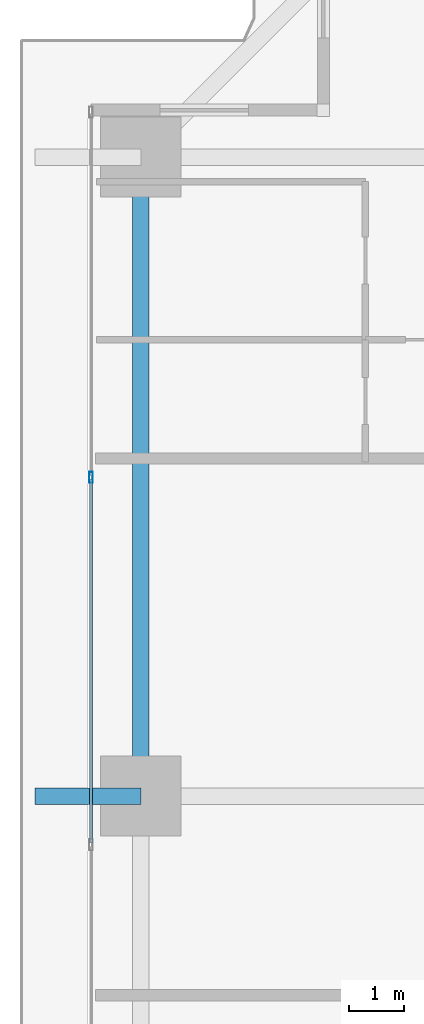
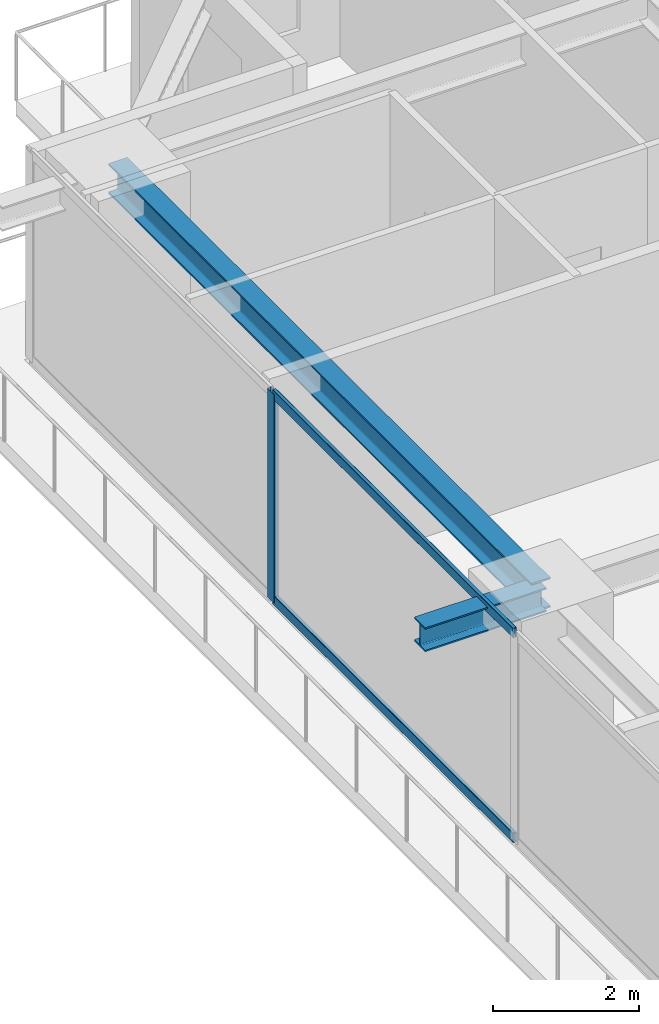
# One storey, part 16 of 39: 3 members, 2 beams, 1 element without a shape of its own.
"""IFC4 building model written with IfcOpenShell, lengths in metres."""

import ifcopenshell
import ifcopenshell.guid

model = None  # the IFC model being written
_history = None  # IfcOwnerHistory: only IFC2X3 demands one
_inside = {}  # id of a spatial element -> (the spatial element, [elements in it])
_under = {}  # id of a project, library or spatial element -> (it, [spatial elements below it])
_declared = {}  # id of a project -> (the project, [libraries it declares])
_typed = {}  # id of a type object -> (the type object, [elements of that type])
_made_of = {}  # id of a material, layer set ... -> (it, [elements and type objects made of it])


def new_model(schema):
    """Start an empty IFC model of exactly this schema.

    Asked for "IFC4X3", IfcOpenShell would pick the latest addendum, in which some entities
    have other attributes; the version numbers below select the first issue.
    IFC2X3 requires an IfcOwnerHistory on every rooted entity: one is made here for all.
    """
    global model, _history
    if schema == "IFC4X3":
        model = ifcopenshell.file(schema_version=(4, 3, 0, 0))
    else:
        model = ifcopenshell.file(schema=schema)
    _inside.clear()
    _under.clear()
    _declared.clear()
    _typed.clear()
    _made_of.clear()
    _history = None
    if model.schema == "IFC2X3":
        org = make("IfcOrganization", Name="unknown")
        user = make(
            "IfcPersonAndOrganization",
            ThePerson=make("IfcPerson", FamilyName="unknown"),
            TheOrganization=org,
        )
        app = make(
            "IfcApplication",
            ApplicationDeveloper=org,
            Version="unknown",
            ApplicationFullName="unknown",
            ApplicationIdentifier="unknown",
        )
        _history = make(
            "IfcOwnerHistory",
            OwningUser=user,
            OwningApplication=app,
            ChangeAction="ADDED",
            CreationDate=0,
        )
    return model


def make(cls, **values):
    """One entity of the class cls with the attributes given. An attribute that is None is left unset."""
    return model.create_entity(
        cls, **{name: value for name, value in values.items() if value is not None}
    )


def rooted(cls, **values):
    """An entity with a GlobalId (a new one), such as an element, a storey or a relation."""
    return make(cls, GlobalId=ifcopenshell.guid.new(), OwnerHistory=_history, **values)


def si_unit(unit_type, name, prefix=None):
    """IfcSIUnit, for example si_unit("LENGTHUNIT", "METRE", prefix="MILLI")."""
    return make("IfcSIUnit", UnitType=unit_type, Prefix=prefix, Name=name)


def assignment(units):
    """IfcUnitAssignment: the units of a project."""
    return None if units is None else make("IfcUnitAssignment", Units=units)


def point(xyz):
    """IfcCartesianPoint."""
    return None if xyz is None else make("IfcCartesianPoint", Coordinates=xyz)


def direction(xyz):
    """IfcDirection."""
    return None if xyz is None else make("IfcDirection", DirectionRatios=xyz)


def frame(location, z_axis=None, x_axis=None):
    """IfcAxis2Placement3D, a coordinate frame: its origin and axes. An axis left out is left unset."""
    return make(
        "IfcAxis2Placement3D",
        Location=point(location),
        Axis=direction(z_axis),
        RefDirection=direction(x_axis),
    )


def frame_2d(location, x_axis=None):
    """IfcAxis2Placement2D, a coordinate frame in the plane: its origin and x axis."""
    return make(
        "IfcAxis2Placement2D", Location=point(location), RefDirection=direction(x_axis)
    )


def origin():
    """The frame at (0, 0, 0) with its axes left unset."""
    return frame((0.0, 0.0, 0.0))


def origin_2d():
    """The frame at (0, 0) in the plane with its x axis left unset."""
    return frame_2d((0.0, 0.0))


def place(relative_to, where):
    """IfcLocalPlacement: puts the frame where relative to a parent placement (None: the world)."""
    return make(
        "IfcLocalPlacement", PlacementRelTo=relative_to, RelativePlacement=where
    )


def context(
    kind, dimensions, precision=None, world=None, true_north=None, identifier=None
):
    """IfcGeometricRepresentationContext, for example the 3D "Model" context."""
    return make(
        "IfcGeometricRepresentationContext",
        ContextIdentifier=identifier,
        ContextType=kind,
        CoordinateSpaceDimension=dimensions,
        Precision=precision,
        WorldCoordinateSystem=world,
        TrueNorth=true_north,
    )


def subcontext(parent, identifier, kind, view, scale=None):
    """IfcGeometricRepresentationSubContext, for example "Body" below "Model"."""
    return make(
        "IfcGeometricRepresentationSubContext",
        ContextIdentifier=identifier,
        ContextType=kind,
        ParentContext=parent,
        TargetScale=scale,
        TargetView=view,
    )


def project(units=None, contexts=None):
    """IfcProject with its units and contexts."""
    return rooted(
        "IfcProject",
        Name="project",
        RepresentationContexts=contexts,
        UnitsInContext=assignment(units),
    )


def spatial(cls, under=None, at=None, **own):
    """A site, building, storey or space (cls), placed at a placement, below another one or the project."""
    s = rooted(cls, ObjectPlacement=at, **own)
    if under is not None:
        _under.setdefault(under.id(), (under, []))[1].append(s)
    return s


def profile(cls, at=None, kind="AREA", **sizes):
    """A parametric profile (cls). Its sizes go by their IFC names, for example OverallWidth=200.0."""
    return make(cls, ProfileType=kind, Position=at, **sizes)


def hollow_rectangle(**sizes):
    """IfcRectangleHollowProfileDef."""
    return profile("IfcRectangleHollowProfileDef", **sizes)


def i_section(**sizes):
    """IfcIShapeProfileDef."""
    return profile("IfcIShapeProfileDef", **sizes)


def extrude(swept, where, along, depth):
    """IfcExtrudedAreaSolid: the profile swept, set in the frame where, extruded along a direction by depth."""
    return make(
        "IfcExtrudedAreaSolid",
        SweptArea=swept,
        Position=where,
        ExtrudedDirection=direction(along),
        Depth=depth,
    )


def shape(context_of_items, identifier, shape_type, items):
    """IfcShapeRepresentation: the items that make up one representation, for example the "Body"."""
    return make(
        "IfcShapeRepresentation",
        ContextOfItems=context_of_items,
        RepresentationIdentifier=identifier,
        RepresentationType=shape_type,
        Items=items,
    )


def source(mapping_origin, context_of_items, identifier, shape_type, items):
    """IfcRepresentationMap: a shape defined once, which mapped items show again and again."""
    return make(
        "IfcRepresentationMap",
        MappingOrigin=mapping_origin,
        MappedRepresentation=shape(context_of_items, identifier, shape_type, items),
    )


def transform(
    local_origin,
    x_axis=None,
    y_axis=None,
    z_axis=None,
    scale=None,
    scale2=None,
    scale3=None,
    uniform=True,
):
    """IfcCartesianTransformationOperator3D, or its non-uniform kind. x_axis, y_axis, z_axis: its Axis1, 2, 3."""
    if uniform:
        return make(
            "IfcCartesianTransformationOperator3D",
            Axis1=direction(x_axis),
            Axis2=direction(y_axis),
            LocalOrigin=point(local_origin),
            Scale=scale,
            Axis3=direction(z_axis),
        )
    return make(
        "IfcCartesianTransformationOperator3DnonUniform",
        Axis1=direction(x_axis),
        Axis2=direction(y_axis),
        LocalOrigin=point(local_origin),
        Scale=scale,
        Axis3=direction(z_axis),
        Scale2=scale2,
        Scale3=scale3,
    )


def mapped(mapping_source, mapping_target):
    """IfcMappedItem: shows the shape of a source again, moved by a transform."""
    return make(
        "IfcMappedItem", MappingSource=mapping_source, MappingTarget=mapping_target
    )


def material(Name=None, Category=None):
    """IfcMaterial."""
    return make("IfcMaterial", Name=Name, Category=Category)


def layer(
    of_material, thickness, ventilated=None, Name=None, Category=None, Priority=None
):
    """IfcMaterialLayer: one layer of a wall or slab, of a material (None: an air gap)."""
    return make(
        "IfcMaterialLayer",
        Material=of_material,
        LayerThickness=thickness,
        IsVentilated=ventilated,
        Name=Name,
        Category=Category,
        Priority=Priority,
    )


def layer_set(layers, Name=None):
    """IfcMaterialLayerSet."""
    return make("IfcMaterialLayerSet", MaterialLayers=layers, LayerSetName=Name)


def material_profile(
    of_material, cross_section, Name=None, Category=None, Priority=None
):
    """IfcMaterialProfile: a cross section and its material."""
    return make(
        "IfcMaterialProfile",
        Name=Name,
        Material=of_material,
        Profile=cross_section,
        Priority=Priority,
        Category=Category,
    )


def profile_set(profiles, Name=None, composite=None):
    """IfcMaterialProfileSet."""
    return make(
        "IfcMaterialProfileSet",
        Name=Name,
        MaterialProfiles=profiles,
        CompositeProfile=composite,
    )


def made_of(thing, what):
    """Note that an element or type object is made of a material, layer set ...; save() writes the relation."""
    if what is not None:
        _made_of.setdefault(what.id(), (what, []))[1].append(thing)
    return thing


def type_object(cls, material=None, **own):
    """A type object (cls), such as IfcWallType, which elements share."""
    return made_of(rooted(cls, **own), material)


def element(
    cls,
    number,
    at=None,
    inside=None,
    cuts=None,
    type_object=None,
    material=None,
    context=None,
    identifier="Body",
    shape_type=None,
    held_by="IfcProductDefinitionShape",
    body=None,
    shapes=None,
    **own,
):
    """One element of the class cls, such as IfcWall. Its Tag is "e" and its number.

    at: its placement. inside: the storey or other place that contains it. cuts: it is an
    opening in that element (IfcRelVoidsElement). A single representation is given by context,
    identifier, shape_type and body (its items); several are given by shapes. held_by: the class
    of the entity that holds the representations. save() writes the other relations.
    """
    e = rooted(cls, Tag="e%d" % number, ObjectPlacement=at, **own)
    if body is not None:
        shapes = [shape(context, identifier, shape_type, body)]
    if shapes is not None:
        e.Representation = make(held_by, Representations=shapes)
    if inside is not None:
        _inside.setdefault(inside.id(), (inside, []))[1].append(e)
    if cuts is not None:
        rooted(
            "IfcRelVoidsElement", RelatingBuildingElement=cuts, RelatedOpeningElement=e
        )
    if type_object is not None:
        _typed.setdefault(type_object.id(), (type_object, []))[1].append(e)
    return made_of(e, material)


def aggregate(whole, parts):
    """IfcRelAggregates: a whole, such as a stair, and the parts it consists of."""
    return rooted("IfcRelAggregates", RelatingObject=whole, RelatedObjects=parts)


def save(model, path):
    """Write the relations noted so far, then the file.

    IfcRelAggregates (storeys below a building ...), IfcRelContainedInSpatialStructure (elements
    in a storey), IfcRelDefinesByType, IfcRelAssociatesMaterial and IfcRelDeclares: one each for
    every whole, place, type object, material and project.
    """
    for whole, parts in _under.values():
        aggregate(whole, parts)
    for where, things in _inside.values():
        rooted(
            "IfcRelContainedInSpatialStructure",
            RelatedElements=things,
            RelatingStructure=where,
        )
    for kind, things in _typed.values():
        rooted("IfcRelDefinesByType", RelatedObjects=things, RelatingType=kind)
    for what, things in _made_of.values():
        rooted("IfcRelAssociatesMaterial", RelatedObjects=things, RelatingMaterial=what)
    for by, libraries in _declared.values():
        rooted("IfcRelDeclares", RelatingContext=by, RelatedDefinitions=libraries)
    model.write(path)


model = new_model("IFC4")

# Units and contexts
model_context = context("Model", 3, precision=1e-05, world=origin(), true_north=direction((0.0, 1.0)))
body_context = subcontext(model_context, "Body", "Model", "MODEL_VIEW")
ifc_project = project(units=[si_unit("LENGTHUNIT", "METRE"), si_unit("AREAUNIT", "SQUARE_METRE"), si_unit("VOLUMEUNIT", "CUBIC_METRE"), si_unit("PLANEANGLEUNIT", "RADIAN"), si_unit("MASSUNIT", "GRAM", prefix="KILO")], contexts=[model_context])

# Site, building, storey
site_placement = place(None, origin())
site = spatial("IfcSite", under=ifc_project, at=site_placement, CompositionType="ELEMENT")
building_placement = place(site_placement, origin())
building = spatial("IfcBuilding", under=site, at=building_placement, Name="Serunith Strait Residences", CompositionType="ELEMENT")
storey_placement = place(building_placement, frame((0.0, 0.0, 49.199951171875)))
storey = spatial("IfcBuildingStorey", under=building, at=storey_placement, Name="L11", CompositionType="ELEMENT", Elevation=49.199951171875)

# Beams
ifc_material_1 = material(Name="Steel S355J2", Category="steel")
ifc_material_profile_1 = material_profile(ifc_material_1, i_section(OverallWidth=0.300048828125, OverallDepth=0.5, WebThickness=0.014404296875, FlangeThickness=0.028076171875, FilletRadius=0.027099609375, at=origin_2d()), Name="HEB 500")
ifc_profile_set_1 = profile_set([ifc_material_profile_1], Name="Steel S355J2")
beam_type_1 = type_object("IfcBeamType", Name="BM-HEB500", PredefinedType="BEAM", material=ifc_profile_set_1)
shared_shape_1 = source(origin(), body_context, "Body", "SweptSolid", [
    extrude(i_section(OverallWidth=0.300048828125, OverallDepth=0.5, WebThickness=0.014404296875, FlangeThickness=0.028076171875, FilletRadius=0.027099609375, at=origin_2d()), origin(), (0.0, 0.0, 1.0), 11.550048828125),
])
beam_1_placement = place(storey_placement, frame((6.89990234375, 40.949951171875, 3.237060546875), z_axis=(0.0, -1.0, 0.0), x_axis=(1.0, 0.0, 0.0)))
element("IfcBeam", 1, at=beam_1_placement, inside=storey, type_object=beam_type_1, Name="L11 Perimeter Ring Beam 13", PredefinedType="BEAM", context=body_context, shape_type="MappedRepresentation", body=[
    mapped(shared_shape_1, transform((0.0, 0.0, 0.0), scale=1.0)),
])
ifc_material_profile_2 = material_profile(ifc_material_1, i_section(OverallWidth=0.300048828125, OverallDepth=0.39990234375, WebThickness=0.013427734375, FlangeThickness=0.02392578125, FilletRadius=0.027099609375, at=origin_2d()), Name="HEB 400")
ifc_profile_set_2 = profile_set([ifc_material_profile_2], Name="Steel S355J2")
beam_type_2 = type_object("IfcBeamType", Name="BM-HEB400", PredefinedType="BEAM", material=ifc_profile_set_2)
shared_shape_2 = source(origin(), body_context, "Body", "SweptSolid", [
    extrude(i_section(OverallWidth=0.300048828125, OverallDepth=0.39990234375, WebThickness=0.013427734375, FlangeThickness=0.02392578125, FilletRadius=0.027099609375, at=origin_2d()), origin(), (0.0, 0.0, 1.0), 1.909912109375),
])
beam_2_placement = place(storey_placement, frame((6.89990234375, 29.39990234375, 3.257080078125), z_axis=(-1.0, 0.0, 0.0), x_axis=(0.0, -1.0, 0.0)))
element("IfcBeam", 2, at=beam_2_placement, inside=storey, type_object=beam_type_2, Name="L12 Cantilevered Balcony Rib TC-W3", PredefinedType="BEAM", context=body_context, shape_type="MappedRepresentation", body=[
    mapped(shared_shape_2, transform((0.0, 0.0, 0.0), scale=1.0)),
])

# Curtain wall, members
ifc_material_2 = material(Name="Pale-Champagne Anodised Aluminium", Category="aluminium")
ifc_layer = layer(ifc_material_2, 0.199951171875, Name="Pale-Champagne Anodised Aluminium")
ifc_layer_set = layer_set([ifc_layer], Name="Pale-Champagne Anodised Aluminium")
curtain_wall_type = type_object("IfcCurtainWallType", Name="CW-SYS1", PredefinedType="NOTDEFINED", material=ifc_layer_set)
curtain_wall_placement = place(storey_placement, origin())
curtain_wall = element("IfcCurtainWall", 3, at=curtain_wall_placement, inside=storey, type_object=curtain_wall_type, Name="L11 W Unitised Fritted Curtain Wall", PredefinedType="NOTDEFINED")
ifc_material_profile_3 = material_profile(ifc_material_2, hollow_rectangle(XDim=0.070068359375, YDim=0.199951171875, WallThickness=0.00390625, InnerFilletRadius=0.006103515625, OuterFilletRadius=0.010009765625, at=origin_2d()), Name="ALU 200x70x4")
ifc_profile_set_3 = profile_set([ifc_material_profile_3], Name="Pale-Champagne Anodised Aluminium")
member_type_1 = type_object("IfcMemberType", Name="CW-SYS1-MULL", PredefinedType="MULLION", material=ifc_profile_set_3)
shared_shape_3 = source(origin(), body_context, "Body", "SweptSolid", [
    extrude(hollow_rectangle(XDim=0.070068359375, YDim=0.199951171875, WallThickness=0.00390625, InnerFilletRadius=0.006103515625, OuterFilletRadius=0.010009765625, at=origin_2d()), origin(), (0.0, 0.0, 1.0), 3.47509765625),
])
member_1_placement = place(storey_placement, frame((6.0, 35.159912109375, 0.0), z_axis=(0.0, 0.0, 1.0), x_axis=(1.0, 0.0, 0.0)))
member_1 = element("IfcMember", 4, at=member_1_placement, type_object=member_type_1, Name="CW-1 mullion 2", PredefinedType="MULLION", context=body_context, shape_type="MappedRepresentation", body=[
    mapped(shared_shape_3, transform((0.0, 0.0, 0.0), scale=1.0)),
])
ifc_material_profile_4 = material_profile(ifc_material_2, hollow_rectangle(XDim=0.06005859375, YDim=0.159912109375, WallThickness=0.00341796875, InnerFilletRadius=0.00537109375, OuterFilletRadius=0.0087890625, at=origin_2d()), Name="ALU 160x60x3.5")
ifc_profile_set_4 = profile_set([ifc_material_profile_4], Name="Pale-Champagne Anodised Aluminium")
member_type_2 = type_object("IfcMemberType", Name="CW-SYS1-TRAN", PredefinedType="USERDEFINED", material=ifc_profile_set_4)
shared_shape_4 = source(origin(), body_context, "Body", "SweptSolid", [
    extrude(hollow_rectangle(XDim=0.06005859375, YDim=0.159912109375, WallThickness=0.00341796875, InnerFilletRadius=0.00537109375, OuterFilletRadius=0.0087890625, at=origin_2d()), origin(), (0.0, 0.0, 1.0), 6.570068359375),
])
member_2_placement = place(storey_placement, frame((6.0, 35.125, 0.030029296875), z_axis=(0.0, -1.0, 0.0), x_axis=(1.0, 0.0, 0.0)))
member_2 = element("IfcMember", 5, at=member_2_placement, type_object=member_type_2, Name="CW-1 transom 2.1", ObjectType="TRANSOM", PredefinedType="USERDEFINED", context=body_context, shape_type="MappedRepresentation", body=[
    mapped(shared_shape_4, transform((0.0, 0.0, 0.0), scale=1.0)),
])
member_3_placement = place(storey_placement, frame((6.0, 35.125, 3.445068359375), z_axis=(0.0, -1.0, 0.0), x_axis=(1.0, 0.0, 0.0)))
member_3 = element("IfcMember", 6, at=member_3_placement, type_object=member_type_2, Name="CW-1 transom 2.2", ObjectType="TRANSOM", PredefinedType="USERDEFINED", context=body_context, shape_type="MappedRepresentation", body=[
    mapped(shared_shape_4, transform((0.0, 0.0, 0.0), scale=1.0)),
])
aggregate(curtain_wall, [member_1, member_2, member_3])

save(model, "model.ifc")
